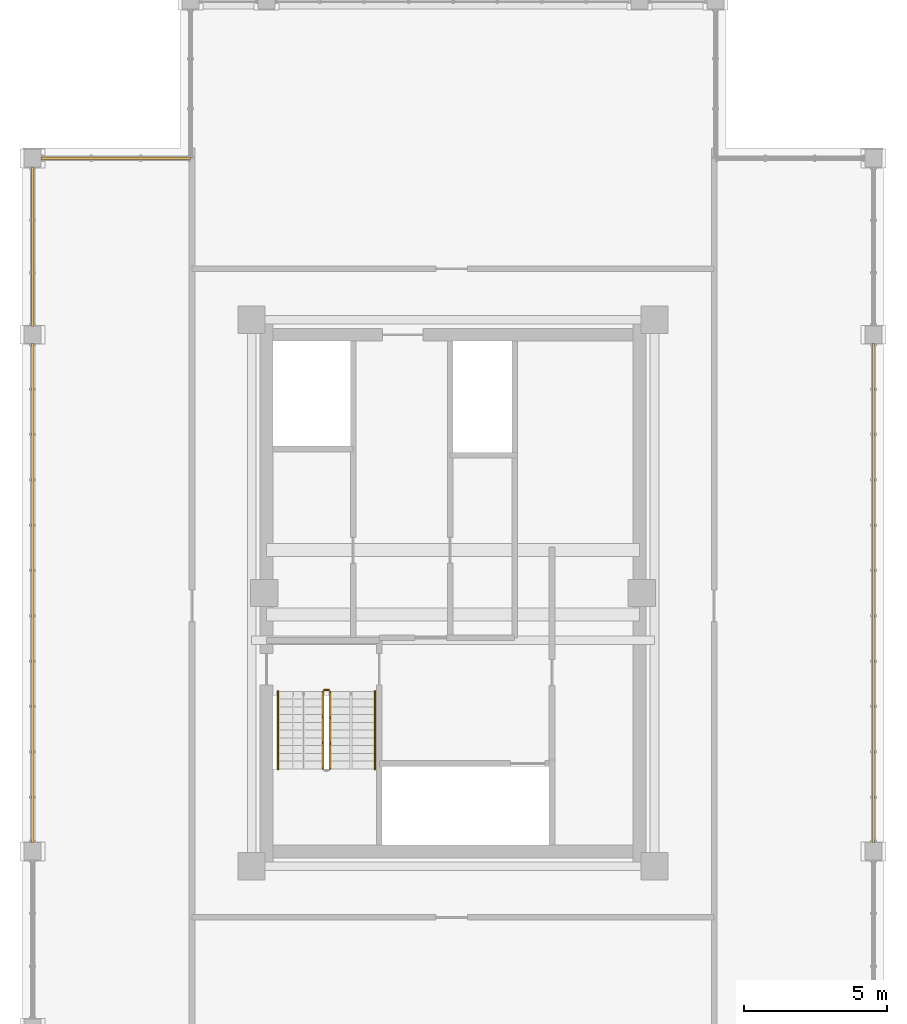
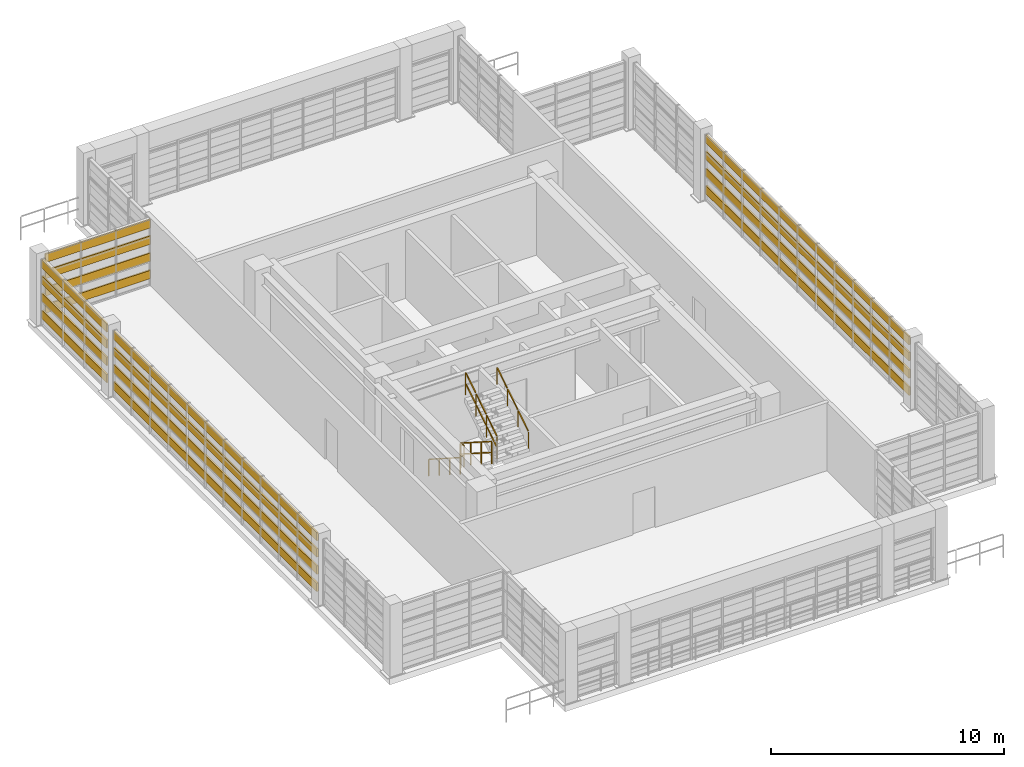
# One storey, part 23 of 24: 16 shading devices, 5 railings.
"""IFC4 building model written with IfcOpenShell, lengths in metres."""

from ifc_helpers import new_model, si_unit, direction, frame, origin, origin_2d, place, context, subcontext, project, spatial, rectangle, extrude, source, transform, mapped, material, material_profile, profile_set, type_object, element, save


model = new_model("IFC4")

# Units and contexts
model_context = context("Model", 3, precision=1e-05, world=origin(), true_north=direction((0.0, 1.0)))
body_context = subcontext(model_context, "Body", "Model", "MODEL_VIEW")
ifc_project = project(units=[si_unit("LENGTHUNIT", "METRE"), si_unit("AREAUNIT", "SQUARE_METRE"), si_unit("VOLUMEUNIT", "CUBIC_METRE"), si_unit("PLANEANGLEUNIT", "RADIAN"), si_unit("MASSUNIT", "GRAM", prefix="KILO")], contexts=[model_context])

# Site, building, storey
site_placement = place(None, origin())
site = spatial("IfcSite", under=ifc_project, at=site_placement, CompositionType="ELEMENT")
building_placement = place(site_placement, origin())
building = spatial("IfcBuilding", under=site, at=building_placement, Name="Saelheon Loggia Tower", CompositionType="ELEMENT")
storey_placement = place(building_placement, frame((0.0, 0.0, 252.199951171875)))
storey = spatial("IfcBuildingStorey", under=building, at=storey_placement, Name="CR1", CompositionType="ELEMENT", Elevation=252.199951171875)

# Railings
ifc_material_1 = material(Name="Galvanised Steel S275 Stairwell Guardrail", Category="steel")
railing_type_1 = type_object("IfcRailingType", Name="Guard_StairWell_RL_STG", PredefinedType="GUARDRAIL", material=ifc_material_1)
railing_1_placement = place(storey_placement, frame((33.4599609375, 23.570068359375, 0.1728515625)))
element("IfcRailing", 1, at=railing_1_placement, inside=storey, type_object=railing_type_1, Name="CR1 ST5 stair guard 1", PredefinedType="GUARDRAIL", context=body_context, shape_type="SweptSolid", body=[
    extrude(rectangle(XDim=0.048095703125, YDim=0.048095703125, at=origin_2d()), frame((0.0, -0.028076171875, 1.19384765625), z_axis=(0.0, -0.842366838036, 0.538904546443), x_axis=(1.0, 0.0, 0.0)), (0.0, 0.0, 1.0), 1.001953125),
    extrude(rectangle(XDim=0.048095703125, YDim=0.048095703125, at=origin_2d()), frame((0.0, -0.028076171875, 0.617919921875), z_axis=(0.0, -0.842366838036, 0.538904546443), x_axis=(1.0, 0.0, 0.0)), (0.0, 0.0, 1.0), 1.001953125),
    extrude(rectangle(XDim=0.048095703125, YDim=0.048095703125, at=origin_2d()), frame((0.0, -0.927978515625, 1.76953125), z_axis=(0.0, -0.842366838036, 0.538904546443), x_axis=(1.0, 0.0, 0.0)), (0.0, 0.0, 1.0), 1.001953125),
    extrude(rectangle(XDim=0.048095703125, YDim=0.048095703125, at=origin_2d()), frame((0.0, -0.927978515625, 1.193603515625), z_axis=(0.0, -0.842366838036, 0.538904546443), x_axis=(1.0, 0.0, 0.0)), (0.0, 0.0, 1.0), 1.001953125),
    extrude(rectangle(XDim=0.048095703125, YDim=0.048095703125, at=origin_2d()), frame((0.0, -1.827880859375, 2.345458984375), z_axis=(0.0, -0.842366838036, 0.538904546443), x_axis=(1.0, 0.0, 0.0)), (0.0, 0.0, 1.0), 1.001953125),
    extrude(rectangle(XDim=0.048095703125, YDim=0.048095703125, at=origin_2d()), frame((0.0, -1.827880859375, 1.76953125), z_axis=(0.0, -0.842366838036, 0.538904546443), x_axis=(1.0, 0.0, 0.0)), (0.0, 0.0, 1.0), 1.001953125),
    extrude(rectangle(XDim=0.0419921875, YDim=0.0419921875, at=origin_2d()), origin(), (0.0, 0.0, 1.0), 1.14794921875),
    extrude(rectangle(XDim=0.0419921875, YDim=0.0419921875, at=origin_2d()), frame((0.0, -0.89990234375, 0.57568359375)), (0.0, 0.0, 1.0), 1.14794921875),
    extrude(rectangle(XDim=0.0419921875, YDim=0.0419921875, at=origin_2d()), frame((0.0, -1.800048828125, 1.151611328125)), (0.0, 0.0, 1.0), 1.14794921875),
    extrude(rectangle(XDim=0.0419921875, YDim=0.0419921875, at=origin_2d()), frame((0.0, -2.699951171875, 1.727294921875)), (0.0, 0.0, 1.0), 1.14794921875),
])
railing_2_placement = place(storey_placement, frame((33.719970703125, 20.8701171875, 2.07275390625)))
element("IfcRailing", 2, at=railing_2_placement, inside=storey, type_object=railing_type_1, Name="CR1 ST5 stair guard 3", PredefinedType="GUARDRAIL", context=body_context, shape_type="SweptSolid", body=[
    extrude(rectangle(XDim=0.048095703125, YDim=0.048095703125, at=origin_2d()), frame((0.0, 0.028076171875, 1.19384765625), z_axis=(0.0, 0.842366838036, 0.538904546443), x_axis=(-1.0, 0.0, 0.0)), (0.0, 0.0, 1.0), 1.001953125),
    extrude(rectangle(XDim=0.048095703125, YDim=0.048095703125, at=origin_2d()), frame((0.0, 0.028076171875, 0.617919921875), z_axis=(0.0, 0.842366838036, 0.538904546443), x_axis=(-1.0, 0.0, 0.0)), (0.0, 0.0, 1.0), 1.001953125),
    extrude(rectangle(XDim=0.048095703125, YDim=0.048095703125, at=origin_2d()), frame((0.0, 0.927978515625, 1.76953125), z_axis=(0.0, 0.842366838036, 0.538904546443), x_axis=(-1.0, 0.0, 0.0)), (0.0, 0.0, 1.0), 1.001953125),
    extrude(rectangle(XDim=0.048095703125, YDim=0.048095703125, at=origin_2d()), frame((0.0, 0.927978515625, 1.193603515625), z_axis=(0.0, 0.842366838036, 0.538904546443), x_axis=(-1.0, 0.0, 0.0)), (0.0, 0.0, 1.0), 1.001953125),
    extrude(rectangle(XDim=0.048095703125, YDim=0.048095703125, at=origin_2d()), frame((0.0, 1.827880859375, 2.345458984375), z_axis=(0.0, 0.842366838036, 0.538904546443), x_axis=(-1.0, 0.0, 0.0)), (0.0, 0.0, 1.0), 1.001953125),
    extrude(rectangle(XDim=0.048095703125, YDim=0.048095703125, at=origin_2d()), frame((0.0, 1.827880859375, 1.76953125), z_axis=(0.0, 0.842366838036, 0.538904546443), x_axis=(-1.0, 0.0, 0.0)), (0.0, 0.0, 1.0), 1.001953125),
    extrude(rectangle(XDim=0.0419921875, YDim=0.0419921875, at=origin_2d()), origin(), (0.0, 0.0, 1.0), 1.14794921875),
    extrude(rectangle(XDim=0.0419921875, YDim=0.0419921875, at=origin_2d()), frame((0.0, 0.89990234375, 0.57568359375)), (0.0, 0.0, 1.0), 1.14794921875),
    extrude(rectangle(XDim=0.0419921875, YDim=0.0419921875, at=origin_2d()), frame((0.0, 1.800048828125, 1.151611328125)), (0.0, 0.0, 1.0), 1.14794921875),
    extrude(rectangle(XDim=0.0419921875, YDim=0.0419921875, at=origin_2d()), frame((0.0, 2.699951171875, 1.727294921875)), (0.0, 0.0, 1.0), 1.14794921875),
])
railing_3_placement = place(storey_placement, frame((33.510009765625, 23.6201171875, 0.0)))
element("IfcRailing", 3, at=railing_3_placement, inside=storey, type_object=railing_type_1, Name="CR1 ST5 stair guard 4", PredefinedType="GUARDRAIL", context=body_context, shape_type="SweptSolid", body=[
    extrude(rectangle(XDim=0.048095703125, YDim=0.048095703125, at=origin_2d()), frame((0.033203125, 0.0, 1.17578125), z_axis=(1.0, 0.0, 0.0), x_axis=(0.0, 1.0, 0.0)), (0.0, 0.0, 1.0), 0.093505859375),
    extrude(rectangle(XDim=0.048095703125, YDim=0.048095703125, at=origin_2d()), frame((0.033203125, 0.0, 0.60009765625), z_axis=(1.0, 0.0, 0.0), x_axis=(0.0, 1.0, 0.0)), (0.0, 0.0, 1.0), 0.093505859375),
    extrude(rectangle(XDim=0.0419921875, YDim=0.0419921875, at=origin_2d()), origin(), (0.0, 0.0, 1.0), 1.14794921875),
    extrude(rectangle(XDim=0.0419921875, YDim=0.0419921875, at=origin_2d()), frame((0.159912109375, 0.0, 0.0)), (0.0, 0.0, 1.0), 1.14794921875),
])
ifc_material_2 = material(Name="Stainless Steel 304 Tubular Handrail", Category="steel")
railing_type_2 = type_object("IfcRailingType", Name="Handrail_Stair_RL_HR1", PredefinedType="HANDRAIL", material=ifc_material_2)
railing_4_placement = place(storey_placement, frame((31.89990234375, 23.570068359375, 0.1728515625)))
element("IfcRailing", 4, at=railing_4_placement, inside=storey, type_object=railing_type_2, Name="CR1 ST5 stair handrail 1", PredefinedType="HANDRAIL", context=body_context, shape_type="SweptSolid", body=[
    extrude(rectangle(XDim=0.048095703125, YDim=0.048095703125, at=origin_2d()), frame((0.0, -0.028076171875, 0.893798828125), z_axis=(0.0, -0.842366838036, 0.538904546443), x_axis=(1.0, 0.0, 0.0)), (0.0, 0.0, 1.0), 1.001953125),
    extrude(rectangle(XDim=0.048095703125, YDim=0.048095703125, at=origin_2d()), frame((0.0, -0.927978515625, 1.469482421875), z_axis=(0.0, -0.842366838036, 0.538904546443), x_axis=(1.0, 0.0, 0.0)), (0.0, 0.0, 1.0), 1.001953125),
    extrude(rectangle(XDim=0.048095703125, YDim=0.048095703125, at=origin_2d()), frame((0.0, -1.827880859375, 2.04541015625), z_axis=(0.0, -0.842366838036, 0.538904546443), x_axis=(1.0, 0.0, 0.0)), (0.0, 0.0, 1.0), 1.001953125),
    extrude(rectangle(XDim=0.0419921875, YDim=0.0419921875, at=origin_2d()), origin(), (0.0, 0.0, 1.0), 0.847900390625),
    extrude(rectangle(XDim=0.0419921875, YDim=0.0419921875, at=origin_2d()), frame((0.0, -0.89990234375, 0.57568359375)), (0.0, 0.0, 1.0), 0.847900390625),
    extrude(rectangle(XDim=0.0419921875, YDim=0.0419921875, at=origin_2d()), frame((0.0, -1.800048828125, 1.151611328125)), (0.0, 0.0, 1.0), 0.847900390625),
    extrude(rectangle(XDim=0.0419921875, YDim=0.0419921875, at=origin_2d()), frame((0.0, -2.699951171875, 1.727294921875)), (0.0, 0.0, 1.0), 0.847900390625),
])
railing_5_placement = place(storey_placement, frame((35.280029296875, 20.8701171875, 2.07275390625)))
element("IfcRailing", 5, at=railing_5_placement, inside=storey, type_object=railing_type_2, Name="CR1 ST5 stair handrail 2", PredefinedType="HANDRAIL", context=body_context, shape_type="SweptSolid", body=[
    extrude(rectangle(XDim=0.048095703125, YDim=0.048095703125, at=origin_2d()), frame((0.0, 0.028076171875, 0.893798828125), z_axis=(0.0, 0.842366838036, 0.538904546443), x_axis=(-1.0, 0.0, 0.0)), (0.0, 0.0, 1.0), 1.001953125),
    extrude(rectangle(XDim=0.048095703125, YDim=0.048095703125, at=origin_2d()), frame((0.0, 0.927978515625, 1.469482421875), z_axis=(0.0, 0.842366838036, 0.538904546443), x_axis=(-1.0, 0.0, 0.0)), (0.0, 0.0, 1.0), 1.001953125),
    extrude(rectangle(XDim=0.048095703125, YDim=0.048095703125, at=origin_2d()), frame((0.0, 1.827880859375, 2.04541015625), z_axis=(0.0, 0.842366838036, 0.538904546443), x_axis=(-1.0, 0.0, 0.0)), (0.0, 0.0, 1.0), 1.001953125),
    extrude(rectangle(XDim=0.0419921875, YDim=0.0419921875, at=origin_2d()), origin(), (0.0, 0.0, 1.0), 0.847900390625),
    extrude(rectangle(XDim=0.0419921875, YDim=0.0419921875, at=origin_2d()), frame((0.0, 0.89990234375, 0.57568359375)), (0.0, 0.0, 1.0), 0.847900390625),
    extrude(rectangle(XDim=0.0419921875, YDim=0.0419921875, at=origin_2d()), frame((0.0, 1.800048828125, 1.151611328125)), (0.0, 0.0, 1.0), 0.847900390625),
    extrude(rectangle(XDim=0.0419921875, YDim=0.0419921875, at=origin_2d()), frame((0.0, 2.699951171875, 1.727294921875)), (0.0, 0.0, 1.0), 0.847900390625),
])

# Shading devices
ifc_material_3 = material(Name="Bronze-Anodised Aluminium 6063-T6", Category="aluminium")
ifc_material_profile = material_profile(ifc_material_3, rectangle(XDim=0.080078125, YDim=0.43994140625, at=origin_2d()), Name="Louvre_CrownBlade_250")
ifc_profile_set = profile_set([ifc_material_profile], Name="Bronze-Anodised Aluminium 6063-T6")
shading_device_type = type_object("IfcShadingDeviceType", Name="Louvre_CrownBlade_250", PredefinedType="AWNING", material=ifc_profile_set)
shared_shape_1 = source(origin(), body_context, "Body", "SweptSolid", [
    extrude(rectangle(XDim=0.080078125, YDim=0.43994140625, at=origin_2d()), origin(), (0.0, 0.0, 1.0), 5.205078125),
])
for number, where, z_axis, x_axis, name in (
    (6, (28.85009765625, 42.14990234375, 0.550048828125), (-1.0, 0.0, 0.0), (0.0, -1.0, 0.0), "CR1 Crown Screen Horizontal Blade"),
    (7, (28.85009765625, 42.14990234375, 1.449951171875), (-1.0, 0.0, 0.0), (0.0, -1.0, 0.0), "CR1 Crown Screen Horizontal Blade"),
    (8, (28.85009765625, 42.14990234375, 2.35009765625), (-1.0, 0.0, 0.0), (0.0, -1.0, 0.0), "CR1 Crown Screen Horizontal Blade"),
    (9, (28.85009765625, 42.14990234375, 3.199951171875), (-1.0, 0.0, 0.0), (0.0, -1.0, 0.0), "CR1 Crown Screen Horizontal Blade"),
):
    element("IfcShadingDevice", number, at=place(storey_placement, frame(where, z_axis=z_axis, x_axis=x_axis)), inside=storey, type_object=shading_device_type, Name=name, PredefinedType="AWNING", context=body_context, shape_type="MappedRepresentation", body=[
        mapped(shared_shape_1, transform((0.0, 0.0, 0.0), scale=1.0)),
    ])
shared_shape_2 = source(origin(), body_context, "Body", "SweptSolid", [
    extrude(rectangle(XDim=0.080078125, YDim=0.43994140625, at=origin_2d()), origin(), (0.0, 0.0, 1.0), 5.56005859375),
])
for number, where, z_axis, x_axis, name in (
    (10, (23.35009765625, 41.85498046875, 0.550048828125), (0.0, -1.0, 0.0), (1.0, 0.0, 0.0), "CR1 Crown Screen Horizontal Blade"),
    (11, (23.35009765625, 41.85498046875, 1.449951171875), (0.0, -1.0, 0.0), (1.0, 0.0, 0.0), "CR1 Crown Screen Horizontal Blade"),
    (12, (23.35009765625, 41.85498046875, 2.35009765625), (0.0, -1.0, 0.0), (1.0, 0.0, 0.0), "CR1 Crown Screen Horizontal Blade"),
    (13, (23.35009765625, 41.85498046875, 3.199951171875), (0.0, -1.0, 0.0), (1.0, 0.0, 0.0), "CR1 Crown Screen Horizontal Blade"),
):
    element("IfcShadingDevice", number, at=place(storey_placement, frame(where, z_axis=z_axis, x_axis=x_axis)), inside=storey, type_object=shading_device_type, Name=name, PredefinedType="AWNING", context=body_context, shape_type="MappedRepresentation", body=[
        mapped(shared_shape_2, transform((0.0, 0.0, 0.0), scale=1.0)),
    ])
shared_shape_3 = source(origin(), body_context, "Body", "SweptSolid", [
    extrude(rectangle(XDim=0.080078125, YDim=0.43994140625, at=origin_2d()), origin(), (0.0, 0.0, 1.0), 17.41015625),
])
for number, where, z_axis, x_axis, name in (
    (14, (52.64990234375, 18.294921875, 0.550048828125), (0.0, 1.0, 0.0), (-1.0, 0.0, 0.0), "CR1 Crown Screen Horizontal Blade"),
    (15, (52.64990234375, 18.294921875, 1.449951171875), (0.0, 1.0, 0.0), (-1.0, 0.0, 0.0), "CR1 Crown Screen Horizontal Blade"),
    (16, (52.64990234375, 18.294921875, 2.35009765625), (0.0, 1.0, 0.0), (-1.0, 0.0, 0.0), "CR1 Crown Screen Horizontal Blade"),
    (17, (52.64990234375, 18.294921875, 3.199951171875), (0.0, 1.0, 0.0), (-1.0, 0.0, 0.0), "CR1 Crown Screen Horizontal Blade"),
    (18, (23.35009765625, 35.705078125, 0.550048828125), (0.0, -1.0, 0.0), (1.0, 0.0, 0.0), "CR1 Crown Screen Horizontal Blade"),
    (19, (23.35009765625, 35.705078125, 1.449951171875), (0.0, -1.0, 0.0), (1.0, 0.0, 0.0), "CR1 Crown Screen Horizontal Blade"),
    (20, (23.35009765625, 35.705078125, 2.35009765625), (0.0, -1.0, 0.0), (1.0, 0.0, 0.0), "CR1 Crown Screen Horizontal Blade"),
    (21, (23.35009765625, 35.705078125, 3.199951171875), (0.0, -1.0, 0.0), (1.0, 0.0, 0.0), "CR1 Crown Screen Horizontal Blade"),
):
    element("IfcShadingDevice", number, at=place(storey_placement, frame(where, z_axis=z_axis, x_axis=x_axis)), inside=storey, type_object=shading_device_type, Name=name, PredefinedType="AWNING", context=body_context, shape_type="MappedRepresentation", body=[
        mapped(shared_shape_3, transform((0.0, 0.0, 0.0), scale=1.0)),
    ])

save(model, "model.ifc")
